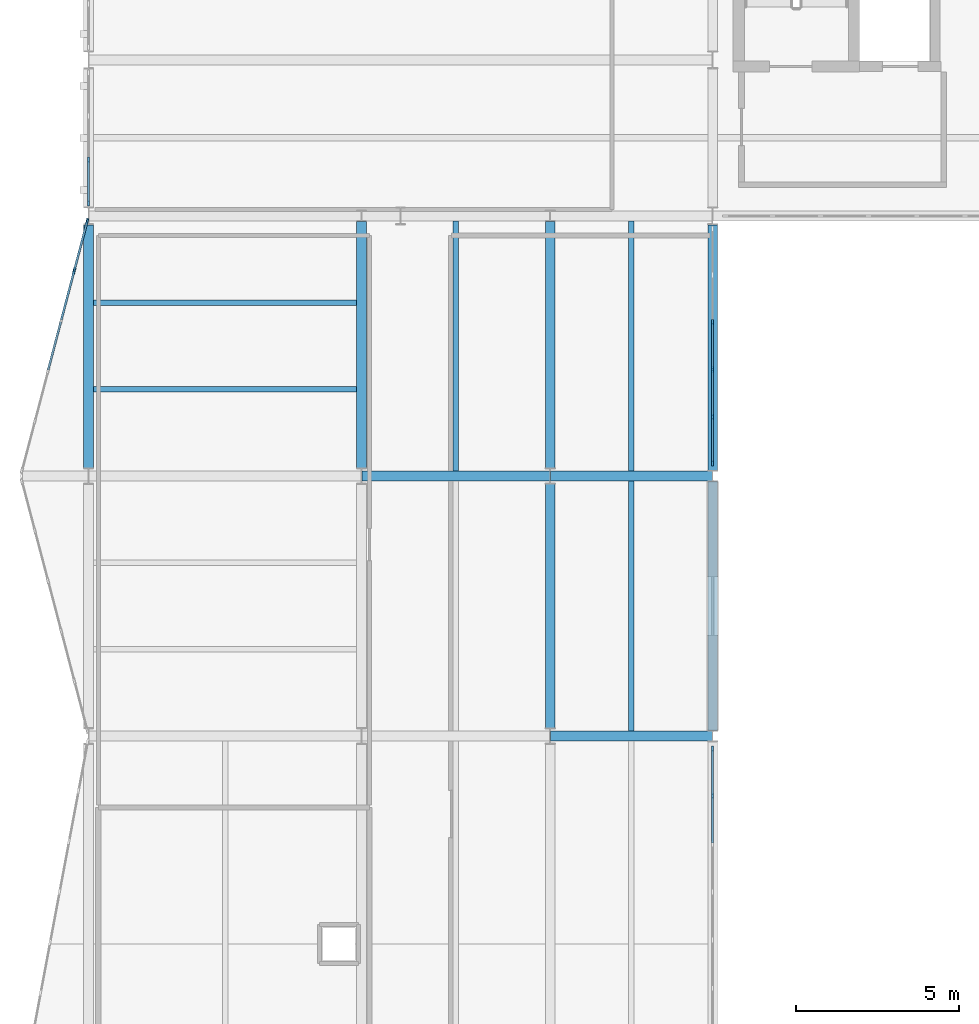
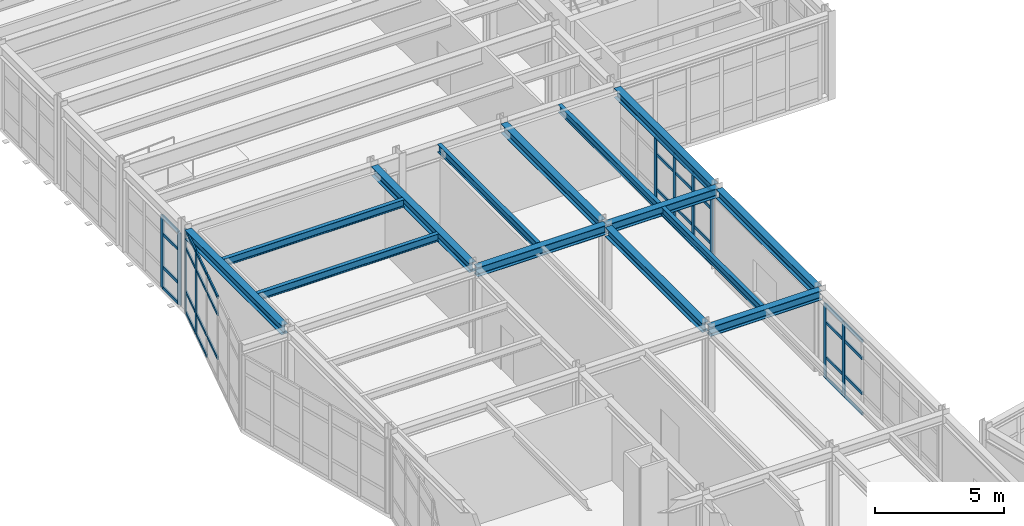
# One storey, part 25 of 76: 45 members, 14 beams, 4 elements without a shape of their own.
"""IFC4 building model written with IfcOpenShell, lengths in metres."""

from ifc_helpers import new_model, si_unit, direction, frame, origin, origin_2d, place, context, subcontext, project, spatial, rectangle, i_section, extrude, material, layer, layer_set, material_profile, profile_set, type_object, element, aggregate, save


model = new_model("IFC4")

# Units and contexts
model_context = context("Model", 3, precision=1e-05, world=origin(), true_north=direction((0.0, 1.0)))
body_context = subcontext(model_context, "Body", "Model", "MODEL_VIEW")
ifc_project = project(units=[si_unit("LENGTHUNIT", "METRE"), si_unit("AREAUNIT", "SQUARE_METRE"), si_unit("VOLUMEUNIT", "CUBIC_METRE"), si_unit("PLANEANGLEUNIT", "RADIAN"), si_unit("MASSUNIT", "GRAM", prefix="KILO")], contexts=[model_context])

# Site, building, storey
site_placement = place(None, origin())
site = spatial("IfcSite", under=ifc_project, at=site_placement, CompositionType="ELEMENT")
building_placement = place(site_placement, origin())
building = spatial("IfcBuilding", under=site, at=building_placement, Name="Nordkorset Police Headquarters", CompositionType="ELEMENT")
storey_placement = place(building_placement, frame((0.0, 0.0, 13.64990234375)))
storey = spatial("IfcBuildingStorey", under=building, at=storey_placement, Name="L03", CompositionType="ELEMENT", Elevation=13.64990234375)

# Beams
ifc_material_1 = material(Name="Steel S355J2", Category="steel")
ifc_material_profile_1 = material_profile(ifc_material_1, i_section(OverallWidth=0.169921875, OverallDepth=0.360107421875, WebThickness=0.008056640625, FlangeThickness=0.0126953125, FilletRadius=0.01806640625, at=origin_2d()), Name="IPE 360")
ifc_profile_set_1 = profile_set([ifc_material_profile_1], Name="Steel S355J2")
beam_type_1 = type_object("IfcBeamType", Name="Beam_IPE_360", PredefinedType="BEAM", material=ifc_profile_set_1)
for number, where, z_axis, x_axis, name in (
    (1, (0.14990234375, 77.86669921875, 3.800048828125), (1.0, 0.0, 0.0), (0.0, 1.0, 0.0), "Composite Floor Beam V3 L03 0-5-1"),
    (2, (0.14990234375, 80.533447265625, 3.800048828125), (1.0, 0.0, 0.0), (0.0, 1.0, 0.0), "Composite Floor Beam V3 L03 0-5-2"),
):
    element("IfcBeam", number, at=place(storey_placement, frame(where, z_axis=z_axis, x_axis=x_axis)), inside=storey, type_object=beam_type_1, Name=name, PredefinedType="BEAM", context=body_context, shape_type="SweptSolid", body=[
        extrude(i_section(OverallWidth=0.169921875, OverallDepth=0.360107421875, WebThickness=0.008056640625, FlangeThickness=0.0126953125, FilletRadius=0.01806640625, at=origin_2d()), origin(), (0.0, 0.0, 1.0), 8.10009765625),
    ])
for number, where, z_axis, x_axis, name in (
    (3, (11.300048828125, 75.35009765625, 3.800048828125), (0.0, 1.0, 0.0), (-1.0, 0.0, 0.0), "Composite Floor Beam V3 L03 1-5-1"),
    (4, (16.699951171875, 67.35009765625, 3.78515625), (0.0, 1.0, 0.0), (-1.0, 0.0, 0.0), "Composite Floor Beam V3 L03 2-4-1"),
    (5, (16.699951171875, 75.35009765625, 3.78515625), (0.0, 1.0, 0.0), (-1.0, 0.0, 0.0), "Composite Floor Beam V3 L03 2-5-1"),
):
    element("IfcBeam", number, at=place(storey_placement, frame(where, z_axis=z_axis, x_axis=x_axis)), inside=storey, type_object=beam_type_1, Name=name, PredefinedType="BEAM", context=body_context, shape_type="SweptSolid", body=[
        extrude(i_section(OverallWidth=0.169921875, OverallDepth=0.360107421875, WebThickness=0.008056640625, FlangeThickness=0.0126953125, FilletRadius=0.01806640625, at=origin_2d()), origin(), (0.0, 0.0, 1.0), 7.699951171875),
    ])

# Curtain wall, members
ifc_material_2 = material(Name="Aluminium alloy AW-6060", Category="aluminium")
ifc_layer_1 = layer(ifc_material_2, 0.179931640625, Name="Aluminium alloy AW-6060")
ifc_layer_set_1 = layer_set([ifc_layer_1], Name="Aluminium alloy AW-6060")
curtain_wall_type_1 = type_object("IfcCurtainWallType", Name="CW_Unit_408x342", PredefinedType="USERDEFINED", material=ifc_layer_set_1)
curtain_wall_1_placement = place(storey_placement, origin())
curtain_wall_1 = element("IfcCurtainWall", 6, at=curtain_wall_1_placement, inside=storey, type_object=curtain_wall_type_1, Name="Unitised Curtain Wall L03 V1W-0", ObjectType="UNITISED CURTAIN WALL", PredefinedType="USERDEFINED")
ifc_material_3 = material(Name="Aluminium alloy AW-6060", Category="aluminium")
ifc_material_profile_2 = material_profile(ifc_material_3, rectangle(XDim=0.06494140625, YDim=0.179931640625, at=origin_2d()), Name="ALU MULL 65x180")
ifc_profile_set_2 = profile_set([ifc_material_profile_2], Name="Aluminium alloy AW-6060")
member_type_1 = type_object("IfcMemberType", Name="CW_Mullion_65x180", PredefinedType="MULLION", material=ifc_profile_set_2)
member_1_placement = place(storey_placement, frame((0.0, 83.592529296875, 0.0), z_axis=(0.0, 0.0, 1.0), x_axis=(-1.0, 0.0, 0.0)))
member_1 = element("IfcMember", 7, at=member_1_placement, type_object=member_type_1, Name="CW-72 mullion 1", PredefinedType="MULLION", context=body_context, shape_type="SweptSolid", body=[
    extrude(rectangle(XDim=0.06494140625, YDim=0.179931640625, at=origin_2d()), origin(), (0.0, 0.0, 1.0), 3.420166015625),
])
member_2_placement = place(storey_placement, frame((0.0, 84.919921875, 0.0), z_axis=(0.0, 0.0, 1.0), x_axis=(-1.0, 0.0, 0.0)))
member_2 = element("IfcMember", 8, at=member_2_placement, type_object=member_type_1, Name="CW-72 mullion 2", PredefinedType="MULLION", context=body_context, shape_type="SweptSolid", body=[
    extrude(rectangle(XDim=0.06494140625, YDim=0.179931640625, at=origin_2d()), origin(), (0.0, 0.0, 1.0), 3.420166015625),
])

ifc_material_4 = material(Name="Aluminium alloy AW-6060", Category="aluminium")
ifc_layer_2 = layer(ifc_material_4, 0.179931640625, Name="Aluminium alloy AW-6060")
ifc_layer_set_2 = layer_set([ifc_layer_2], Name="Aluminium alloy AW-6060")
curtain_wall_type_2 = type_object("IfcCurtainWallType", Name="CW_Unit_888x350", PredefinedType="USERDEFINED", material=ifc_layer_set_2)
curtain_wall_2_placement = place(storey_placement, origin())
curtain_wall_2 = element("IfcCurtainWall", 9, at=curtain_wall_2_placement, inside=storey, type_object=curtain_wall_type_2, Name="Unitised Curtain Wall L03 V3E-3", ObjectType="UNITISED CURTAIN WALL", PredefinedType="USERDEFINED")
member_3_placement = place(storey_placement, frame((19.199951171875, 65.360107421875, 0.0), z_axis=(0.0, 0.0, 1.0), x_axis=(-1.0, 0.0, 0.0)))
member_3 = element("IfcMember", 10, at=member_3_placement, type_object=member_type_1, Name="CW-95 mullion 6", PredefinedType="MULLION", context=body_context, shape_type="SweptSolid", body=[
    extrude(rectangle(XDim=0.06494140625, YDim=0.179931640625, at=origin_2d()), origin(), (0.0, 0.0, 1.0), 3.505126953125),
])
member_4_placement = place(storey_placement, frame((19.199951171875, 66.8076171875, 0.0), z_axis=(0.0, 0.0, 1.0), x_axis=(-1.0, 0.0, 0.0)))
member_4 = element("IfcMember", 11, at=member_4_placement, type_object=member_type_1, Name="CW-95 mullion 7", PredefinedType="MULLION", context=body_context, shape_type="SweptSolid", body=[
    extrude(rectangle(XDim=0.06494140625, YDim=0.179931640625, at=origin_2d()), origin(), (0.0, 0.0, 1.0), 3.505126953125),
])

ifc_material_5 = material(Name="Aluminium alloy AW-6060", Category="aluminium")
ifc_layer_3 = layer(ifc_material_5, 0.179931640625, Name="Aluminium alloy AW-6060")
ifc_layer_set_3 = layer_set([ifc_layer_3], Name="Aluminium alloy AW-6060")
curtain_wall_type_3 = type_object("IfcCurtainWallType", Name="CW_Unit_799x392", PredefinedType="USERDEFINED", material=ifc_layer_set_3)
curtain_wall_3_placement = place(storey_placement, origin())
curtain_wall_3 = element("IfcCurtainWall", 12, at=curtain_wall_3_placement, inside=storey, type_object=curtain_wall_type_3, Name="Unitised Curtain Wall L03 V3W-5", ObjectType="UNITISED CURTAIN WALL", PredefinedType="USERDEFINED")
member_5_placement = place(storey_placement, frame((-0.44140625, 81.518798828125, 0.0), z_axis=(0.0, 0.0, 1.0), x_axis=(-0.967231265013, 0.25389698695, 0.0)))
member_5 = element("IfcMember", 13, at=member_5_placement, type_object=member_type_1, Name="CW-68 mullion 5", PredefinedType="MULLION", context=body_context, shape_type="SweptSolid", body=[
    extrude(rectangle(XDim=0.06494140625, YDim=0.179931640625, at=origin_2d()), origin(), (0.0, 0.0, 1.0), 3.920166015625),
])
member_6_placement = place(storey_placement, frame((-0.043701171875, 83.033203125, 0.0), z_axis=(0.0, 0.0, 1.0), x_axis=(-0.967231265013, 0.25389698695, 0.0)))
member_6 = element("IfcMember", 14, at=member_6_placement, type_object=member_type_1, Name="CW-68 mullion 6", PredefinedType="MULLION", context=body_context, shape_type="SweptSolid", body=[
    extrude(rectangle(XDim=0.06494140625, YDim=0.179931640625, at=origin_2d()), origin(), (0.0, 0.0, 1.0), 3.920166015625),
])

ifc_material_6 = material(Name="Aluminium alloy AW-6060", Category="aluminium")
ifc_layer_4 = layer(ifc_material_6, 0.179931640625, Name="Aluminium alloy AW-6060")
ifc_layer_set_4 = layer_set([ifc_layer_4], Name="Aluminium alloy AW-6060")
curtain_wall_type_4 = type_object("IfcCurtainWallType", Name="CW_Unit_728x350", PredefinedType="USERDEFINED", material=ifc_layer_set_4)
curtain_wall_4_placement = place(storey_placement, origin())
curtain_wall_4 = element("IfcCurtainWall", 15, at=curtain_wall_4_placement, inside=storey, type_object=curtain_wall_type_4, Name="Unitised Curtain Wall L03 V3E-5", ObjectType="UNITISED CURTAIN WALL", PredefinedType="USERDEFINED")
member_7_placement = place(storey_placement, frame((19.199951171875, 75.592529296875, 0.0), z_axis=(0.0, 0.0, 1.0), x_axis=(-1.0, 0.0, 0.0)))
member_7 = element("IfcMember", 16, at=member_7_placement, type_object=member_type_1, Name="CW-70 mullion 1", PredefinedType="MULLION", context=body_context, shape_type="SweptSolid", body=[
    extrude(rectangle(XDim=0.06494140625, YDim=0.179931640625, at=origin_2d()), origin(), (0.0, 0.0, 1.0), 3.505126953125),
])
member_8_placement = place(storey_placement, frame((19.199951171875, 77.01611328125, 0.0), z_axis=(0.0, 0.0, 1.0), x_axis=(-1.0, 0.0, 0.0)))
member_8 = element("IfcMember", 17, at=member_8_placement, type_object=member_type_1, Name="CW-70 mullion 2", PredefinedType="MULLION", context=body_context, shape_type="SweptSolid", body=[
    extrude(rectangle(XDim=0.06494140625, YDim=0.179931640625, at=origin_2d()), origin(), (0.0, 0.0, 1.0), 3.505126953125),
])
member_9_placement = place(storey_placement, frame((19.199951171875, 78.471923828125, 0.0), z_axis=(0.0, 0.0, 1.0), x_axis=(-1.0, 0.0, 0.0)))
member_9 = element("IfcMember", 18, at=member_9_placement, type_object=member_type_1, Name="CW-70 mullion 3", PredefinedType="MULLION", context=body_context, shape_type="SweptSolid", body=[
    extrude(rectangle(XDim=0.06494140625, YDim=0.179931640625, at=origin_2d()), origin(), (0.0, 0.0, 1.0), 3.505126953125),
])
member_10_placement = place(storey_placement, frame((19.199951171875, 79.927978515625, 0.0), z_axis=(0.0, 0.0, 1.0), x_axis=(-1.0, 0.0, 0.0)))
member_10 = element("IfcMember", 19, at=member_10_placement, type_object=member_type_1, Name="CW-70 mullion 4", PredefinedType="MULLION", context=body_context, shape_type="SweptSolid", body=[
    extrude(rectangle(XDim=0.06494140625, YDim=0.179931640625, at=origin_2d()), origin(), (0.0, 0.0, 1.0), 3.505126953125),
])

# Member
ifc_material_7 = material(Name="Aluminium alloy AW-6060", Category="aluminium")
ifc_material_profile_3 = material_profile(ifc_material_7, rectangle(XDim=0.06494140625, YDim=0.139892578125, at=origin_2d()), Name="ALU TRAN 65x140")
ifc_profile_set_3 = profile_set([ifc_material_profile_3], Name="Aluminium alloy AW-6060")
member_type_2 = type_object("IfcMemberType", Name="CW_Transom_65x140", PredefinedType="USERDEFINED", material=ifc_profile_set_3)
member_11_placement = place(storey_placement, frame((0.0, 83.625, 0.03271484375), z_axis=(0.0, 1.0, 0.0), x_axis=(-1.0, 0.0, 0.0)))
member_11 = element("IfcMember", 20, at=member_11_placement, type_object=member_type_2, Name="CW-72 transom 1.1", ObjectType="TRANSOM", PredefinedType="USERDEFINED", context=body_context, shape_type="SweptSolid", body=[
    extrude(rectangle(XDim=0.06494140625, YDim=0.139892578125, at=origin_2d()), origin(), (0.0, 0.0, 1.0), 1.262451171875),
])

member_12_placement = place(storey_placement, frame((0.0, 83.625, 1.0), z_axis=(0.0, 1.0, 0.0), x_axis=(-1.0, 0.0, 0.0)))
member_12 = element("IfcMember", 21, at=member_12_placement, type_object=member_type_2, Name="CW-72 transom 1.2", ObjectType="TRANSOM", PredefinedType="USERDEFINED", context=body_context, shape_type="SweptSolid", body=[
    extrude(rectangle(XDim=0.06494140625, YDim=0.139892578125, at=origin_2d()), origin(), (0.0, 0.0, 1.0), 1.262451171875),
])

member_13_placement = place(storey_placement, frame((0.0, 83.625, 2.570068359375), z_axis=(0.0, 1.0, 0.0), x_axis=(-1.0, 0.0, 0.0)))
member_13 = element("IfcMember", 22, at=member_13_placement, type_object=member_type_2, Name="CW-72 transom 1.3", ObjectType="TRANSOM", PredefinedType="USERDEFINED", context=body_context, shape_type="SweptSolid", body=[
    extrude(rectangle(XDim=0.06494140625, YDim=0.139892578125, at=origin_2d()), origin(), (0.0, 0.0, 1.0), 1.262451171875),
])

member_14_placement = place(storey_placement, frame((0.0, 83.625, 3.3876953125), z_axis=(0.0, 1.0, 0.0), x_axis=(-1.0, 0.0, 0.0)))
member_14 = element("IfcMember", 23, at=member_14_placement, type_object=member_type_2, Name="CW-72 transom 1.4", ObjectType="TRANSOM", PredefinedType="USERDEFINED", context=body_context, shape_type="SweptSolid", body=[
    extrude(rectangle(XDim=0.06494140625, YDim=0.139892578125, at=origin_2d()), origin(), (0.0, 0.0, 1.0), 1.262451171875),
])

aggregate(curtain_wall_1, [member_1, member_2, member_11, member_12, member_13, member_14])

member_15_placement = place(storey_placement, frame((19.199951171875, 63.91259765625, 0.03271484375), z_axis=(0.0, 1.0, 0.0), x_axis=(-1.0, 0.0, 0.0)))
member_15 = element("IfcMember", 24, at=member_15_placement, type_object=member_type_2, Name="CW-95 transom 5.1", ObjectType="TRANSOM", PredefinedType="USERDEFINED", context=body_context, shape_type="SweptSolid", body=[
    extrude(rectangle(XDim=0.06494140625, YDim=0.139892578125, at=origin_2d()), origin(), (0.0, 0.0, 1.0), 1.414794921875),
])

member_16_placement = place(storey_placement, frame((19.199951171875, 63.91259765625, 1.0), z_axis=(0.0, 1.0, 0.0), x_axis=(-1.0, 0.0, 0.0)))
member_16 = element("IfcMember", 25, at=member_16_placement, type_object=member_type_2, Name="CW-95 transom 5.2", ObjectType="TRANSOM", PredefinedType="USERDEFINED", context=body_context, shape_type="SweptSolid", body=[
    extrude(rectangle(XDim=0.06494140625, YDim=0.139892578125, at=origin_2d()), origin(), (0.0, 0.0, 1.0), 1.414794921875),
])

member_17_placement = place(storey_placement, frame((19.199951171875, 63.91259765625, 2.655029296875), z_axis=(0.0, 1.0, 0.0), x_axis=(-1.0, 0.0, 0.0)))
member_17 = element("IfcMember", 26, at=member_17_placement, type_object=member_type_2, Name="CW-95 transom 5.3", ObjectType="TRANSOM", PredefinedType="USERDEFINED", context=body_context, shape_type="SweptSolid", body=[
    extrude(rectangle(XDim=0.06494140625, YDim=0.139892578125, at=origin_2d()), origin(), (0.0, 0.0, 1.0), 1.414794921875),
])

member_18_placement = place(storey_placement, frame((19.199951171875, 63.91259765625, 3.47265625), z_axis=(0.0, 1.0, 0.0), x_axis=(-1.0, 0.0, 0.0)))
member_18 = element("IfcMember", 27, at=member_18_placement, type_object=member_type_2, Name="CW-95 transom 5.4", ObjectType="TRANSOM", PredefinedType="USERDEFINED", context=body_context, shape_type="SweptSolid", body=[
    extrude(rectangle(XDim=0.06494140625, YDim=0.139892578125, at=origin_2d()), origin(), (0.0, 0.0, 1.0), 1.414794921875),
])

member_19_placement = place(storey_placement, frame((19.199951171875, 65.392578125, 0.03271484375), z_axis=(0.0, 1.0, 0.0), x_axis=(-1.0, 0.0, 0.0)))
member_19 = element("IfcMember", 28, at=member_19_placement, type_object=member_type_2, Name="CW-95 transom 6.1", ObjectType="TRANSOM", PredefinedType="USERDEFINED", context=body_context, shape_type="SweptSolid", body=[
    extrude(rectangle(XDim=0.06494140625, YDim=0.139892578125, at=origin_2d()), origin(), (0.0, 0.0, 1.0), 1.38232421875),
])

member_20_placement = place(storey_placement, frame((19.199951171875, 65.392578125, 1.0), z_axis=(0.0, 1.0, 0.0), x_axis=(-1.0, 0.0, 0.0)))
member_20 = element("IfcMember", 29, at=member_20_placement, type_object=member_type_2, Name="CW-95 transom 6.2", ObjectType="TRANSOM", PredefinedType="USERDEFINED", context=body_context, shape_type="SweptSolid", body=[
    extrude(rectangle(XDim=0.06494140625, YDim=0.139892578125, at=origin_2d()), origin(), (0.0, 0.0, 1.0), 1.38232421875),
])

member_21_placement = place(storey_placement, frame((19.199951171875, 65.392578125, 2.655029296875), z_axis=(0.0, 1.0, 0.0), x_axis=(-1.0, 0.0, 0.0)))
member_21 = element("IfcMember", 30, at=member_21_placement, type_object=member_type_2, Name="CW-95 transom 6.3", ObjectType="TRANSOM", PredefinedType="USERDEFINED", context=body_context, shape_type="SweptSolid", body=[
    extrude(rectangle(XDim=0.06494140625, YDim=0.139892578125, at=origin_2d()), origin(), (0.0, 0.0, 1.0), 1.38232421875),
])

member_22_placement = place(storey_placement, frame((19.199951171875, 65.392578125, 3.47265625), z_axis=(0.0, 1.0, 0.0), x_axis=(-1.0, 0.0, 0.0)))
member_22 = element("IfcMember", 31, at=member_22_placement, type_object=member_type_2, Name="CW-95 transom 6.4", ObjectType="TRANSOM", PredefinedType="USERDEFINED", context=body_context, shape_type="SweptSolid", body=[
    extrude(rectangle(XDim=0.06494140625, YDim=0.139892578125, at=origin_2d()), origin(), (0.0, 0.0, 1.0), 1.38232421875),
])

aggregate(curtain_wall_2, [member_3, member_4, member_15, member_16, member_17, member_18, member_19, member_20, member_21, member_22])

member_23_placement = place(storey_placement, frame((-1.24462890625, 78.45849609375, 1.0), z_axis=(0.253834812056, 0.967247583708, 0.0), x_axis=(-0.967247583708, 0.253834812056, 0.0)))
member_23 = element("IfcMember", 32, at=member_23_placement, type_object=member_type_2, Name="CW-68 transom 3.2", ObjectType="TRANSOM", PredefinedType="USERDEFINED", context=body_context, shape_type="SweptSolid", body=[
    extrude(rectangle(XDim=0.06494140625, YDim=0.139892578125, at=origin_2d()), origin(), (0.0, 0.0, 1.0), 1.533203125),
])

member_24_placement = place(storey_placement, frame((-1.24462890625, 78.45849609375, 3.070068359375), z_axis=(0.253834812056, 0.967247583708, 0.0), x_axis=(-0.967247583708, 0.253834812056, 0.0)))
member_24 = element("IfcMember", 33, at=member_24_placement, type_object=member_type_2, Name="CW-68 transom 3.3", ObjectType="TRANSOM", PredefinedType="USERDEFINED", context=body_context, shape_type="SweptSolid", body=[
    extrude(rectangle(XDim=0.06494140625, YDim=0.139892578125, at=origin_2d()), origin(), (0.0, 0.0, 1.0), 1.533203125),
])

member_25_placement = place(storey_placement, frame((-1.24462890625, 78.45849609375, 3.8876953125), z_axis=(0.253834812056, 0.967247583708, 0.0), x_axis=(-0.967247583708, 0.253834812056, 0.0)))
member_25 = element("IfcMember", 34, at=member_25_placement, type_object=member_type_2, Name="CW-68 transom 3.4", ObjectType="TRANSOM", PredefinedType="USERDEFINED", context=body_context, shape_type="SweptSolid", body=[
    extrude(rectangle(XDim=0.06494140625, YDim=0.139892578125, at=origin_2d()), origin(), (0.0, 0.0, 1.0), 1.533203125),
])

member_26_placement = place(storey_placement, frame((-0.8388671875, 80.00439453125, 0.03271484375), z_axis=(0.253983786522, 0.967208476071, 0.0), x_axis=(-0.967208476071, 0.253983786522, 0.0)))
member_26 = element("IfcMember", 35, at=member_26_placement, type_object=member_type_2, Name="CW-68 transom 4.1", ObjectType="TRANSOM", PredefinedType="USERDEFINED", context=body_context, shape_type="SweptSolid", body=[
    extrude(rectangle(XDim=0.06494140625, YDim=0.139892578125, at=origin_2d()), origin(), (0.0, 0.0, 1.0), 1.533203125),
])

member_27_placement = place(storey_placement, frame((-0.8388671875, 80.00439453125, 1.0), z_axis=(0.253983786522, 0.967208476071, 0.0), x_axis=(-0.967208476071, 0.253983786522, 0.0)))
member_27 = element("IfcMember", 36, at=member_27_placement, type_object=member_type_2, Name="CW-68 transom 4.2", ObjectType="TRANSOM", PredefinedType="USERDEFINED", context=body_context, shape_type="SweptSolid", body=[
    extrude(rectangle(XDim=0.06494140625, YDim=0.139892578125, at=origin_2d()), origin(), (0.0, 0.0, 1.0), 1.533203125),
])

member_28_placement = place(storey_placement, frame((-0.8388671875, 80.00439453125, 3.070068359375), z_axis=(0.253983786522, 0.967208476071, 0.0), x_axis=(-0.967208476071, 0.253983786522, 0.0)))
member_28 = element("IfcMember", 37, at=member_28_placement, type_object=member_type_2, Name="CW-68 transom 4.3", ObjectType="TRANSOM", PredefinedType="USERDEFINED", context=body_context, shape_type="SweptSolid", body=[
    extrude(rectangle(XDim=0.06494140625, YDim=0.139892578125, at=origin_2d()), origin(), (0.0, 0.0, 1.0), 1.533203125),
])

member_29_placement = place(storey_placement, frame((-0.8388671875, 80.00439453125, 3.8876953125), z_axis=(0.253983786522, 0.967208476071, 0.0), x_axis=(-0.967208476071, 0.253983786522, 0.0)))
member_29 = element("IfcMember", 38, at=member_29_placement, type_object=member_type_2, Name="CW-68 transom 4.4", ObjectType="TRANSOM", PredefinedType="USERDEFINED", context=body_context, shape_type="SweptSolid", body=[
    extrude(rectangle(XDim=0.06494140625, YDim=0.139892578125, at=origin_2d()), origin(), (0.0, 0.0, 1.0), 1.533203125),
])

member_30_placement = place(storey_placement, frame((-0.43310546875, 81.55029296875, 0.03271484375), z_axis=(0.253964717796, 0.967213483216, 0.0), x_axis=(-0.967213483216, 0.253964717796, 0.0)))
member_30 = element("IfcMember", 39, at=member_30_placement, type_object=member_type_2, Name="CW-68 transom 5.1", ObjectType="TRANSOM", PredefinedType="USERDEFINED", context=body_context, shape_type="SweptSolid", body=[
    extrude(rectangle(XDim=0.06494140625, YDim=0.139892578125, at=origin_2d()), origin(), (0.0, 0.0, 1.0), 1.500732421875),
])

member_31_placement = place(storey_placement, frame((-0.43310546875, 81.55029296875, 1.0), z_axis=(0.253964717796, 0.967213483216, 0.0), x_axis=(-0.967213483216, 0.253964717796, 0.0)))
member_31 = element("IfcMember", 40, at=member_31_placement, type_object=member_type_2, Name="CW-68 transom 5.2", ObjectType="TRANSOM", PredefinedType="USERDEFINED", context=body_context, shape_type="SweptSolid", body=[
    extrude(rectangle(XDim=0.06494140625, YDim=0.139892578125, at=origin_2d()), origin(), (0.0, 0.0, 1.0), 1.500732421875),
])

member_32_placement = place(storey_placement, frame((-0.43310546875, 81.55029296875, 3.070068359375), z_axis=(0.253964717796, 0.967213483216, 0.0), x_axis=(-0.967213483216, 0.253964717796, 0.0)))
member_32 = element("IfcMember", 41, at=member_32_placement, type_object=member_type_2, Name="CW-68 transom 5.3", ObjectType="TRANSOM", PredefinedType="USERDEFINED", context=body_context, shape_type="SweptSolid", body=[
    extrude(rectangle(XDim=0.06494140625, YDim=0.139892578125, at=origin_2d()), origin(), (0.0, 0.0, 1.0), 1.500732421875),
])

member_33_placement = place(storey_placement, frame((-0.43310546875, 81.55029296875, 3.8876953125), z_axis=(0.253964717796, 0.967213483216, 0.0), x_axis=(-0.967213483216, 0.253964717796, 0.0)))
member_33 = element("IfcMember", 42, at=member_33_placement, type_object=member_type_2, Name="CW-68 transom 5.4", ObjectType="TRANSOM", PredefinedType="USERDEFINED", context=body_context, shape_type="SweptSolid", body=[
    extrude(rectangle(XDim=0.06494140625, YDim=0.139892578125, at=origin_2d()), origin(), (0.0, 0.0, 1.0), 1.500732421875),
])

aggregate(curtain_wall_3, [member_5, member_6, member_23, member_24, member_25, member_26, member_27, member_28, member_29, member_30, member_31, member_32, member_33])

member_34_placement = place(storey_placement, frame((19.199951171875, 75.625, 0.03271484375), z_axis=(0.0, 1.0, 0.0), x_axis=(-1.0, 0.0, 0.0)))
member_34 = element("IfcMember", 43, at=member_34_placement, type_object=member_type_2, Name="CW-70 transom 1.1", ObjectType="TRANSOM", PredefinedType="USERDEFINED", context=body_context, shape_type="SweptSolid", body=[
    extrude(rectangle(XDim=0.06494140625, YDim=0.139892578125, at=origin_2d()), origin(), (0.0, 0.0, 1.0), 1.3583984375),
])

member_35_placement = place(storey_placement, frame((19.199951171875, 75.625, 1.0), z_axis=(0.0, 1.0, 0.0), x_axis=(-1.0, 0.0, 0.0)))
member_35 = element("IfcMember", 44, at=member_35_placement, type_object=member_type_2, Name="CW-70 transom 1.2", ObjectType="TRANSOM", PredefinedType="USERDEFINED", context=body_context, shape_type="SweptSolid", body=[
    extrude(rectangle(XDim=0.06494140625, YDim=0.139892578125, at=origin_2d()), origin(), (0.0, 0.0, 1.0), 1.3583984375),
])

member_36_placement = place(storey_placement, frame((19.199951171875, 75.625, 2.655029296875), z_axis=(0.0, 1.0, 0.0), x_axis=(-1.0, 0.0, 0.0)))
member_36 = element("IfcMember", 45, at=member_36_placement, type_object=member_type_2, Name="CW-70 transom 1.3", ObjectType="TRANSOM", PredefinedType="USERDEFINED", context=body_context, shape_type="SweptSolid", body=[
    extrude(rectangle(XDim=0.06494140625, YDim=0.139892578125, at=origin_2d()), origin(), (0.0, 0.0, 1.0), 1.3583984375),
])

member_37_placement = place(storey_placement, frame((19.199951171875, 75.625, 3.47265625), z_axis=(0.0, 1.0, 0.0), x_axis=(-1.0, 0.0, 0.0)))
member_37 = element("IfcMember", 46, at=member_37_placement, type_object=member_type_2, Name="CW-70 transom 1.4", ObjectType="TRANSOM", PredefinedType="USERDEFINED", context=body_context, shape_type="SweptSolid", body=[
    extrude(rectangle(XDim=0.06494140625, YDim=0.139892578125, at=origin_2d()), origin(), (0.0, 0.0, 1.0), 1.3583984375),
])

member_38_placement = place(storey_placement, frame((19.199951171875, 77.048583984375, 0.03271484375), z_axis=(0.0, 1.0, 0.0), x_axis=(-1.0, 0.0, 0.0)))
member_38 = element("IfcMember", 47, at=member_38_placement, type_object=member_type_2, Name="CW-70 transom 2.1", ObjectType="TRANSOM", PredefinedType="USERDEFINED", context=body_context, shape_type="SweptSolid", body=[
    extrude(rectangle(XDim=0.06494140625, YDim=0.139892578125, at=origin_2d()), origin(), (0.0, 0.0, 1.0), 1.390869140625),
])

member_39_placement = place(storey_placement, frame((19.199951171875, 77.048583984375, 1.0), z_axis=(0.0, 1.0, 0.0), x_axis=(-1.0, 0.0, 0.0)))
member_39 = element("IfcMember", 48, at=member_39_placement, type_object=member_type_2, Name="CW-70 transom 2.2", ObjectType="TRANSOM", PredefinedType="USERDEFINED", context=body_context, shape_type="SweptSolid", body=[
    extrude(rectangle(XDim=0.06494140625, YDim=0.139892578125, at=origin_2d()), origin(), (0.0, 0.0, 1.0), 1.390869140625),
])

member_40_placement = place(storey_placement, frame((19.199951171875, 77.048583984375, 2.655029296875), z_axis=(0.0, 1.0, 0.0), x_axis=(-1.0, 0.0, 0.0)))
member_40 = element("IfcMember", 49, at=member_40_placement, type_object=member_type_2, Name="CW-70 transom 2.3", ObjectType="TRANSOM", PredefinedType="USERDEFINED", context=body_context, shape_type="SweptSolid", body=[
    extrude(rectangle(XDim=0.06494140625, YDim=0.139892578125, at=origin_2d()), origin(), (0.0, 0.0, 1.0), 1.390869140625),
])

member_41_placement = place(storey_placement, frame((19.199951171875, 77.048583984375, 3.47265625), z_axis=(0.0, 1.0, 0.0), x_axis=(-1.0, 0.0, 0.0)))
member_41 = element("IfcMember", 50, at=member_41_placement, type_object=member_type_2, Name="CW-70 transom 2.4", ObjectType="TRANSOM", PredefinedType="USERDEFINED", context=body_context, shape_type="SweptSolid", body=[
    extrude(rectangle(XDim=0.06494140625, YDim=0.139892578125, at=origin_2d()), origin(), (0.0, 0.0, 1.0), 1.390869140625),
])

member_42_placement = place(storey_placement, frame((19.199951171875, 78.50439453125, 0.03271484375), z_axis=(0.0, 1.0, 0.0), x_axis=(-1.0, 0.0, 0.0)))
member_42 = element("IfcMember", 51, at=member_42_placement, type_object=member_type_2, Name="CW-70 transom 3.1", ObjectType="TRANSOM", PredefinedType="USERDEFINED", context=body_context, shape_type="SweptSolid", body=[
    extrude(rectangle(XDim=0.06494140625, YDim=0.139892578125, at=origin_2d()), origin(), (0.0, 0.0, 1.0), 1.39111328125),
])

member_43_placement = place(storey_placement, frame((19.199951171875, 78.50439453125, 1.0), z_axis=(0.0, 1.0, 0.0), x_axis=(-1.0, 0.0, 0.0)))
member_43 = element("IfcMember", 52, at=member_43_placement, type_object=member_type_2, Name="CW-70 transom 3.2", ObjectType="TRANSOM", PredefinedType="USERDEFINED", context=body_context, shape_type="SweptSolid", body=[
    extrude(rectangle(XDim=0.06494140625, YDim=0.139892578125, at=origin_2d()), origin(), (0.0, 0.0, 1.0), 1.39111328125),
])

member_44_placement = place(storey_placement, frame((19.199951171875, 78.50439453125, 2.655029296875), z_axis=(0.0, 1.0, 0.0), x_axis=(-1.0, 0.0, 0.0)))
member_44 = element("IfcMember", 53, at=member_44_placement, type_object=member_type_2, Name="CW-70 transom 3.3", ObjectType="TRANSOM", PredefinedType="USERDEFINED", context=body_context, shape_type="SweptSolid", body=[
    extrude(rectangle(XDim=0.06494140625, YDim=0.139892578125, at=origin_2d()), origin(), (0.0, 0.0, 1.0), 1.39111328125),
])

member_45_placement = place(storey_placement, frame((19.199951171875, 78.50439453125, 3.47265625), z_axis=(0.0, 1.0, 0.0), x_axis=(-1.0, 0.0, 0.0)))
member_45 = element("IfcMember", 54, at=member_45_placement, type_object=member_type_2, Name="CW-70 transom 3.4", ObjectType="TRANSOM", PredefinedType="USERDEFINED", context=body_context, shape_type="SweptSolid", body=[
    extrude(rectangle(XDim=0.06494140625, YDim=0.139892578125, at=origin_2d()), origin(), (0.0, 0.0, 1.0), 1.39111328125),
])

aggregate(curtain_wall_4, [member_7, member_8, member_9, member_10, member_34, member_35, member_36, member_37, member_38, member_39, member_40, member_41, member_42, member_43, member_44, member_45])

# Beams
ifc_material_8 = material(Name="Steel S355J2", Category="steel")
ifc_material_profile_4 = material_profile(ifc_material_8, i_section(OverallWidth=0.300048828125, OverallDepth=0.43994140625, WebThickness=0.011474609375, FlangeThickness=0.02099609375, FilletRadius=0.027099609375, at=origin_2d()), Name="HEA 450")
ifc_profile_set_4 = profile_set([ifc_material_profile_4], Name="Steel S355J2")
beam_type_2 = type_object("IfcBeamType", Name="Girder_HEA_450", PredefinedType="USERDEFINED", material=ifc_profile_set_4)
beam_1_placement = place(storey_placement, frame((14.207275390625, 67.199951171875, 3.7451171875), z_axis=(1.0, 0.0, 0.0), x_axis=(0.0, 1.0, 0.0)))
element("IfcBeam", 55, at=beam_1_placement, inside=storey, type_object=beam_type_2, Name="Girder V3 L03 GX-4-2", ObjectType="GIRDER", PredefinedType="USERDEFINED", context=body_context, shape_type="SweptSolid", body=[
    extrude(i_section(OverallWidth=0.300048828125, OverallDepth=0.43994140625, WebThickness=0.011474609375, FlangeThickness=0.02099609375, FilletRadius=0.027099609375, at=origin_2d()), origin(), (0.0, 0.0, 1.0), 4.98681640625),
])
beam_2_placement = place(storey_placement, frame((8.4072265625, 75.199951171875, 3.7451171875), z_axis=(1.0, 0.0, 0.0), x_axis=(0.0, 1.0, 0.0)))
element("IfcBeam", 56, at=beam_2_placement, inside=storey, type_object=beam_type_2, Name="Girder V3 L03 GX-5-1", ObjectType="GIRDER", PredefinedType="USERDEFINED", context=body_context, shape_type="SweptSolid", body=[
    extrude(i_section(OverallWidth=0.300048828125, OverallDepth=0.43994140625, WebThickness=0.011474609375, FlangeThickness=0.02099609375, FilletRadius=0.027099609375, at=origin_2d()), origin(), (0.0, 0.0, 1.0), 5.785400390625),
])
beam_3_placement = place(storey_placement, frame((14.207275390625, 75.199951171875, 3.7451171875), z_axis=(1.0, 0.0, 0.0), x_axis=(0.0, 1.0, 0.0)))
element("IfcBeam", 57, at=beam_3_placement, inside=storey, type_object=beam_type_2, Name="Girder V3 L03 GX-5-2", ObjectType="GIRDER", PredefinedType="USERDEFINED", context=body_context, shape_type="SweptSolid", body=[
    extrude(i_section(OverallWidth=0.300048828125, OverallDepth=0.43994140625, WebThickness=0.011474609375, FlangeThickness=0.02099609375, FilletRadius=0.027099609375, at=origin_2d()), origin(), (0.0, 0.0, 1.0), 4.98681640625),
])
beam_4_placement = place(storey_placement, frame((0.0, 75.449951171875, 3.760009765625), z_axis=(0.0, 1.0, 0.0), x_axis=(-1.0, 0.0, 0.0)))
element("IfcBeam", 58, at=beam_4_placement, inside=storey, type_object=beam_type_2, Name="Girder V3 L03 GY-0-5", ObjectType="GIRDER", PredefinedType="USERDEFINED", context=body_context, shape_type="SweptSolid", body=[
    extrude(i_section(OverallWidth=0.300048828125, OverallDepth=0.43994140625, WebThickness=0.011474609375, FlangeThickness=0.02099609375, FilletRadius=0.027099609375, at=origin_2d()), origin(), (0.0, 0.0, 1.0), 7.47509765625),
])
beam_5_placement = place(storey_placement, frame((8.39990234375, 75.449951171875, 3.760009765625), z_axis=(0.0, 1.0, 0.0), x_axis=(-1.0, 0.0, 0.0)))
element("IfcBeam", 59, at=beam_5_placement, inside=storey, type_object=beam_type_2, Name="Girder V3 L03 GY-1-5", ObjectType="GIRDER", PredefinedType="USERDEFINED", context=body_context, shape_type="SweptSolid", body=[
    extrude(i_section(OverallWidth=0.300048828125, OverallDepth=0.43994140625, WebThickness=0.011474609375, FlangeThickness=0.02099609375, FilletRadius=0.027099609375, at=origin_2d()), origin(), (0.0, 0.0, 1.0), 7.580078125),
])
beam_6_placement = place(storey_placement, frame((14.199951171875, 67.449951171875, 3.7451171875), z_axis=(0.0, 1.0, 0.0), x_axis=(-1.0, 0.0, 0.0)))
element("IfcBeam", 60, at=beam_6_placement, inside=storey, type_object=beam_type_2, Name="Girder V3 L03 GY-2-4", ObjectType="GIRDER", PredefinedType="USERDEFINED", context=body_context, shape_type="SweptSolid", body=[
    extrude(i_section(OverallWidth=0.300048828125, OverallDepth=0.43994140625, WebThickness=0.011474609375, FlangeThickness=0.02099609375, FilletRadius=0.027099609375, at=origin_2d()), origin(), (0.0, 0.0, 1.0), 7.5),
])
beam_7_placement = place(storey_placement, frame((14.199951171875, 75.449951171875, 3.7451171875), z_axis=(0.0, 1.0, 0.0), x_axis=(-1.0, 0.0, 0.0)))
element("IfcBeam", 61, at=beam_7_placement, inside=storey, type_object=beam_type_2, Name="Girder V3 L03 GY-2-5", ObjectType="GIRDER", PredefinedType="USERDEFINED", context=body_context, shape_type="SweptSolid", body=[
    extrude(i_section(OverallWidth=0.300048828125, OverallDepth=0.43994140625, WebThickness=0.011474609375, FlangeThickness=0.02099609375, FilletRadius=0.027099609375, at=origin_2d()), origin(), (0.0, 0.0, 1.0), 7.580078125),
])
beam_8_placement = place(storey_placement, frame((19.199951171875, 67.3701171875, 3.7451171875), z_axis=(0.0, 1.0, 0.0), x_axis=(-1.0, 0.0, 0.0)))
element("IfcBeam", 62, at=beam_8_placement, inside=storey, type_object=beam_type_2, Name="Girder V3 L03 GY-3-4", ObjectType="GIRDER", PredefinedType="USERDEFINED", context=body_context, shape_type="SweptSolid", body=[
    extrude(i_section(OverallWidth=0.300048828125, OverallDepth=0.43994140625, WebThickness=0.011474609375, FlangeThickness=0.02099609375, FilletRadius=0.027099609375, at=origin_2d()), origin(), (0.0, 0.0, 1.0), 7.659912109375),
])
beam_9_placement = place(storey_placement, frame((19.199951171875, 75.3701171875, 3.7451171875), z_axis=(0.0, 1.0, 0.0), x_axis=(-1.0, 0.0, 0.0)))
element("IfcBeam", 63, at=beam_9_placement, inside=storey, type_object=beam_type_2, Name="Girder V3 L03 GY-3-5", ObjectType="GIRDER", PredefinedType="USERDEFINED", context=body_context, shape_type="SweptSolid", body=[
    extrude(i_section(OverallWidth=0.300048828125, OverallDepth=0.43994140625, WebThickness=0.011474609375, FlangeThickness=0.02099609375, FilletRadius=0.027099609375, at=origin_2d()), origin(), (0.0, 0.0, 1.0), 7.554931640625),
])

save(model, "model.ifc")
